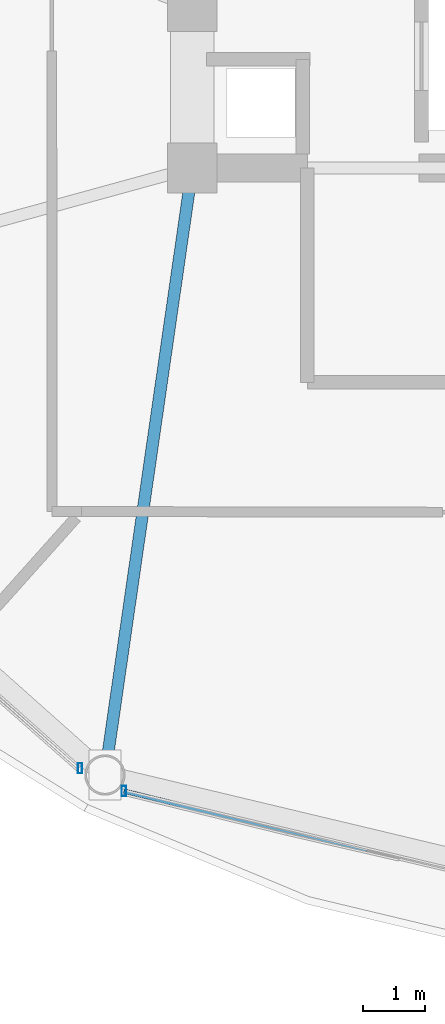
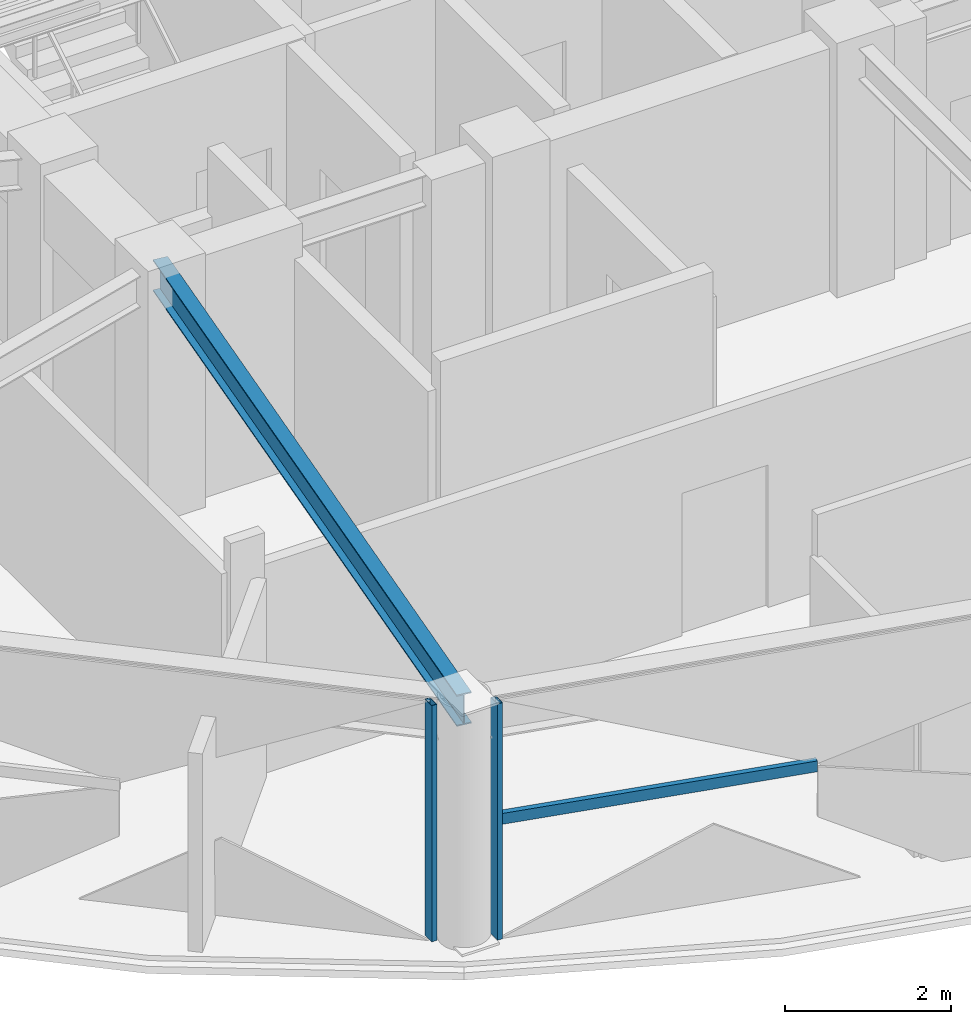
# One storey, part 2 of 28: 3 members, 1 beam, 2 elements without a shape of their own.
"""IFC4 building model written with IfcOpenShell, lengths in metres."""

from ifc_helpers import new_model, si_unit, direction, frame, origin, origin_2d, place, context, subcontext, project, spatial, hollow_rectangle, i_section, extrude, material, layer, layer_set, material_profile, profile_set, type_object, element, aggregate, save


model = new_model("IFC4")

# Units and contexts
model_context = context("Model", 3, precision=1e-05, world=origin(), true_north=direction((0.0, 1.0)))
body_context = subcontext(model_context, "Body", "Model", "MODEL_VIEW")
ifc_project = project(units=[si_unit("LENGTHUNIT", "METRE"), si_unit("AREAUNIT", "SQUARE_METRE"), si_unit("VOLUMEUNIT", "CUBIC_METRE"), si_unit("PLANEANGLEUNIT", "RADIAN"), si_unit("MASSUNIT", "GRAM", prefix="KILO")], contexts=[model_context])

# Site, building, storey
site_placement = place(None, origin())
site = spatial("IfcSite", under=ifc_project, at=site_placement, CompositionType="ELEMENT")
building_placement = place(site_placement, origin())
building = spatial("IfcBuilding", under=site, at=building_placement, Name="Vantalir Tower", CompositionType="ELEMENT")
storey_placement = place(building_placement, frame((0.0, 0.0, 223.64990234375)))
storey = spatial("IfcBuildingStorey", under=building, at=storey_placement, Name="L56", CompositionType="ELEMENT", Elevation=223.64990234375)

# Beam
ifc_material_1 = material(Name="Steel S355", Category="steel")
ifc_material_profile_1 = material_profile(ifc_material_1, i_section(OverallWidth=0.19189453125, OverallDepth=0.462890625, WebThickness=0.010498046875, FlangeThickness=0.017578125, at=origin_2d()), Name="Steel S355")
ifc_profile_set_1 = profile_set([ifc_material_profile_1], Name="Steel S355")
beam_type = type_object("IfcBeamType", Name="BM-RB-457x191", PredefinedType="BEAM", material=ifc_profile_set_1)
beam_placement = place(storey_placement, frame((20.492919921875, 8.029052734375, 3.338134765625), z_axis=(0.142525762499, 0.989791092617, 0.0), x_axis=(-0.989791092617, 0.142525762499, 0.0)))
element("IfcBeam", 1, at=beam_placement, inside=storey, type_object=beam_type, Name="L56 Radial Floor Beam 09", PredefinedType="BEAM", context=body_context, shape_type="SweptSolid", body=[
    extrude(i_section(OverallWidth=0.19189453125, OverallDepth=0.462890625, WebThickness=0.010498046875, FlangeThickness=0.017578125, at=origin_2d()), origin(), (0.0, 0.0, 1.0), 9.871826171875),
])

# Curtain wall, member
ifc_material_2 = material(Name="Champagne-silver PVDF aluminium and double-silver Low-E glass", Category="aluminium")
ifc_layer = layer(ifc_material_2, 0.2099609375)
ifc_layer_set = layer_set([ifc_layer], Name="Champagne-silver PVDF aluminium and double-silver Low-E glass")
curtain_wall_type = type_object("IfcCurtainWallType", Name="CW-DIAMOND-Z3", PredefinedType="USERDEFINED", material=ifc_layer_set)
curtain_wall_1_placement = place(storey_placement, origin())
curtain_wall_1 = element("IfcCurtainWall", 2, at=curtain_wall_1_placement, inside=storey, type_object=curtain_wall_type, Name="L56 Quilted Pyramid-Diamond Curtain Wall S08", ObjectType="UNITISED CURTAIN WALL", PredefinedType="USERDEFINED")
ifc_material_3 = material(Name="Champagne-silver PVDF aluminium 6063-T6", Category="aluminium")
ifc_material_profile_2 = material_profile(ifc_material_3, hollow_rectangle(XDim=0.070068359375, YDim=0.1650390625, WallThickness=0.00390625, at=origin_2d()), Name="Champagne-silver PVDF aluminium 6063-T6")
ifc_profile_set_2 = profile_set([ifc_material_profile_2], Name="Champagne-silver PVDF aluminium 6063-T6")
member_type_1 = type_object("IfcMemberType", Name="CWM-165x70", PredefinedType="MULLION", material=ifc_profile_set_2)
member_1_placement = place(storey_placement, frame((20.092041015625, 8.137939453125, 0.045166015625), z_axis=(0.0, 0.0, 1.0), x_axis=(1.0, 0.0, 0.0)))
member_1 = element("IfcMember", 3, at=member_1_placement, type_object=member_type_1, Name="CW-L56-S08 Mullion 2", PredefinedType="MULLION", context=body_context, shape_type="SweptSolid", body=[
    extrude(hollow_rectangle(XDim=0.070068359375, YDim=0.1650390625, WallThickness=0.00390625, at=origin_2d()), origin(), (0.0, 0.0, 1.0), 3.47998046875),
])
aggregate(curtain_wall_1, [member_1])

# Curtain wall, members
curtain_wall_2_placement = place(storey_placement, origin())
curtain_wall_2 = element("IfcCurtainWall", 4, at=curtain_wall_2_placement, inside=storey, type_object=curtain_wall_type, Name="L56 Quilted Pyramid-Diamond Curtain Wall S09", ObjectType="UNITISED CURTAIN WALL", PredefinedType="USERDEFINED")
member_2_placement = place(storey_placement, frame((20.797119140625, 7.77001953125, 0.045166015625), z_axis=(0.0, 0.0, 1.0), x_axis=(1.0, 0.0, 0.0)))
member_2 = element("IfcMember", 5, at=member_2_placement, type_object=member_type_1, Name="CW-L56-S09 Mullion 1", PredefinedType="MULLION", context=body_context, shape_type="SweptSolid", body=[
    extrude(hollow_rectangle(XDim=0.070068359375, YDim=0.1650390625, WallThickness=0.00390625, at=origin_2d()), origin(), (0.0, 0.0, 1.0), 3.47998046875),
])
ifc_material_profile_3 = material_profile(ifc_material_3, hollow_rectangle(XDim=0.074951171875, YDim=0.159912109375, WallThickness=0.00390625, at=origin_2d()), Name="Champagne-silver PVDF aluminium 6063-T6")
ifc_profile_set_3 = profile_set([ifc_material_profile_3], Name="Champagne-silver PVDF aluminium 6063-T6")
member_type_2 = type_object("IfcMemberType", Name="CWT-160x75", PredefinedType="USERDEFINED", material=ifc_profile_set_3)
member_3_placement = place(storey_placement, frame((20.797119140625, 7.77001953125, 1.78515625), z_axis=(0.971228592021, -0.238149159226, 0.0), x_axis=(0.238149159226, 0.971228592021, 0.0)))
member_3 = element("IfcMember", 6, at=member_3_placement, type_object=member_type_2, Name="CW-L56-S09 Pyramid Fold Ridge Transom", ObjectType="TRANSOM", PredefinedType="USERDEFINED", context=body_context, shape_type="SweptSolid", body=[
    extrude(hollow_rectangle(XDim=0.074951171875, YDim=0.159912109375, WallThickness=0.00390625, at=origin_2d()), origin(), (0.0, 0.0, 1.0), 4.022705078125),
])
aggregate(curtain_wall_2, [member_2, member_3])

save(model, "model.ifc")
